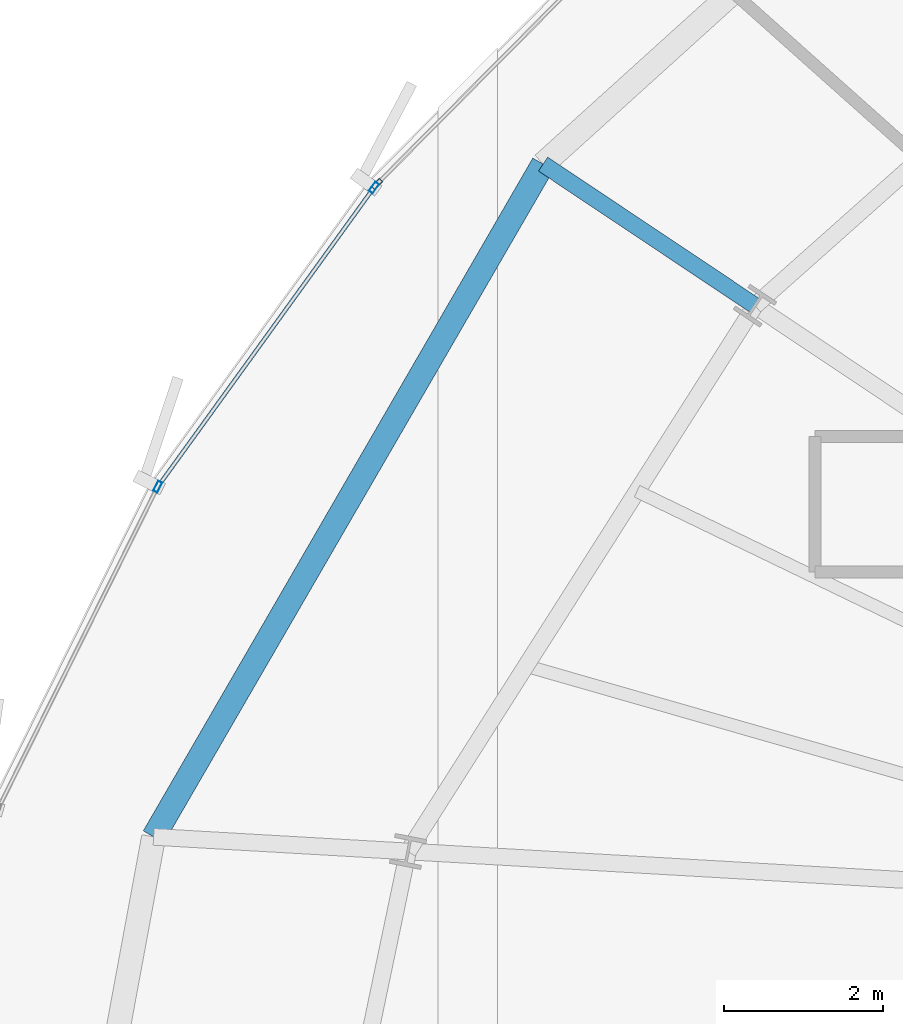
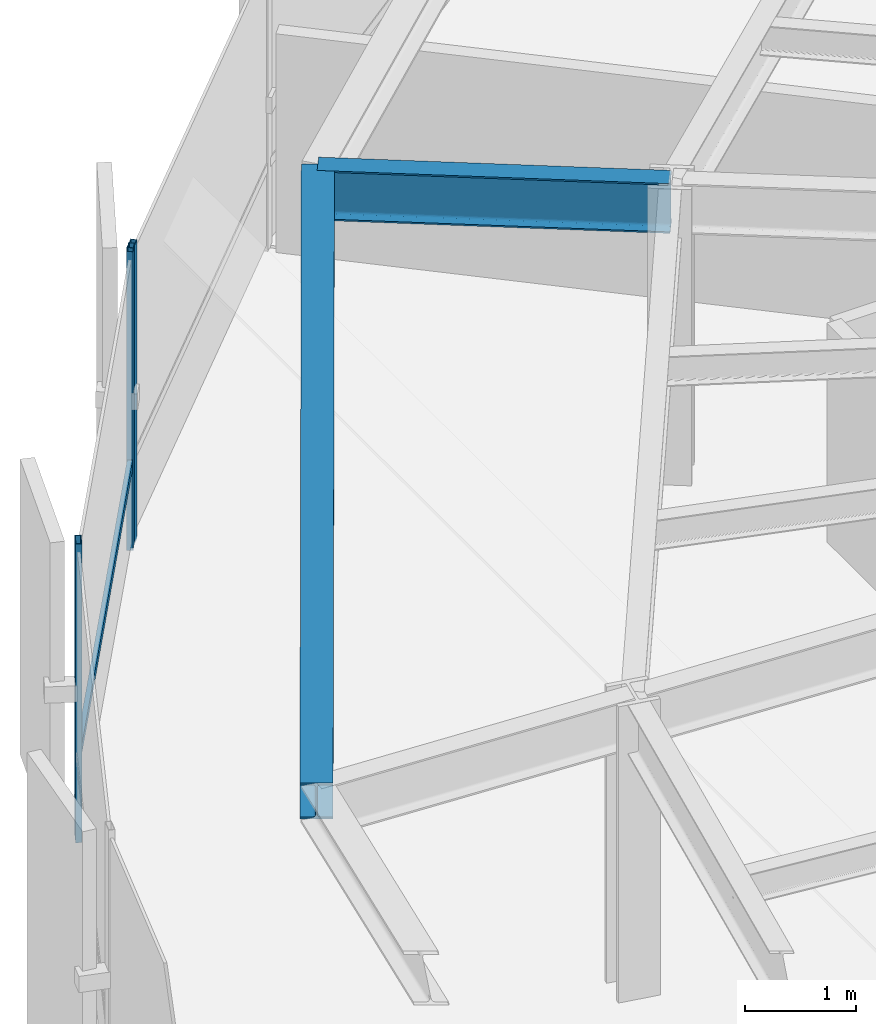
# One storey, part 19 of 37: 4 members, 2 beams, 2 elements without a shape of their own.
"""IFC4 building model written with IfcOpenShell, lengths in metres."""

from ifc_helpers import new_model, si_unit, direction, frame, origin, origin_2d, place, context, subcontext, project, spatial, hollow_rectangle, i_section, extrude, source, transform, mapped, material, layer, layer_set, material_profile, profile_set, type_object, element, aggregate, save


model = new_model("IFC4")

# Units and contexts
model_context = context("Model", 3, precision=1e-05, world=origin(), true_north=direction((0.0, 1.0)))
body_context = subcontext(model_context, "Body", "Model", "MODEL_VIEW")
ifc_project = project(units=[si_unit("LENGTHUNIT", "METRE"), si_unit("AREAUNIT", "SQUARE_METRE"), si_unit("VOLUMEUNIT", "CUBIC_METRE"), si_unit("PLANEANGLEUNIT", "RADIAN"), si_unit("MASSUNIT", "GRAM", prefix="KILO"), si_unit("THERMODYNAMICTEMPERATUREUNIT", "KELVIN")], contexts=[model_context])

# Site, building, storey
site_placement = place(None, origin())
site = spatial("IfcSite", under=ifc_project, at=site_placement, CompositionType="ELEMENT")
building_placement = place(site_placement, origin())
building = spatial("IfcBuilding", under=site, at=building_placement, Name="Kethvar Cultural Tower", CompositionType="ELEMENT")
storey_placement = place(building_placement, frame((0.0, 0.0, 132.35009765625)))
storey = spatial("IfcBuildingStorey", under=building, at=storey_placement, Name="L33", CompositionType="ELEMENT", Elevation=132.35009765625)

# Beams
ifc_material_1 = material(Name="Steel S355J2", Category="steel")
ifc_material_profile_1 = material_profile(ifc_material_1, i_section(OverallWidth=0.2099609375, OverallDepth=0.550048828125, WebThickness=0.010986328125, FlangeThickness=0.01708984375, FilletRadius=0.02392578125, at=origin_2d()), Name="Steel S355J2 — IPE550")
ifc_profile_set_1 = profile_set([ifc_material_profile_1], Name="Steel S355J2 — IPE550")
beam_type_1 = type_object("IfcBeamType", Name="BM-IPE550", PredefinedType="BEAM", material=ifc_profile_set_1)
shared_shape_1 = source(origin(), body_context, "Body", "SweptSolid", [
    extrude(i_section(OverallWidth=0.2099609375, OverallDepth=0.550048828125, WebThickness=0.010986328125, FlangeThickness=0.01708984375, FilletRadius=0.02392578125, at=origin_2d()), origin(), (0.0, 0.0, 1.0), 3.199951171875),
])
beam_1_placement = place(storey_placement, frame((30.345947265625, 38.794189453125, 3.02294921875), z_axis=(-0.831462943996, 0.555580212716, 0.0), x_axis=(-0.555580212716, -0.831462943996, 0.0)))
element("IfcBeam", 1, at=beam_1_placement, inside=storey, type_object=beam_type_1, Name="L33 Perimeter Cantilever Beam RC-07", PredefinedType="BEAM", context=body_context, shape_type="MappedRepresentation", body=[
    mapped(shared_shape_1, transform((0.0, 0.0, 0.0), scale=1.0)),
])
ifc_material_profile_2 = material_profile(ifc_material_1, i_section(OverallWidth=0.300048828125, OverallDepth=0.39990234375, WebThickness=0.013427734375, FlangeThickness=0.02392578125, FilletRadius=0.027099609375, at=origin_2d()), Name="Steel S355J2 — HEB400")
ifc_profile_set_2 = profile_set([ifc_material_profile_2], Name="Steel S355J2 — HEB400")
beam_type_2 = type_object("IfcBeamType", Name="BM-SP400", PredefinedType="SPANDREL", material=ifc_profile_set_2)
shared_shape_2 = source(origin(), body_context, "Body", "SweptSolid", [
    extrude(i_section(OverallWidth=0.300048828125, OverallDepth=0.39990234375, WebThickness=0.013427734375, FlangeThickness=0.02392578125, FilletRadius=0.027099609375, at=origin_2d()), origin(), (0.0, 0.0, 1.0), 9.762939453125),
])
beam_2_placement = place(storey_placement, frame((27.685302734375, 40.572021484375, 3.097900390625), z_axis=(-0.501043170838, -0.865422290536, 0.0), x_axis=(0.865422290536, -0.501043170838, 0.0)))
element("IfcBeam", 2, at=beam_2_placement, inside=storey, type_object=beam_type_2, Name="L33 Perimeter Spandrel Beam SP-07", PredefinedType="SPANDREL", context=body_context, shape_type="MappedRepresentation", body=[
    mapped(shared_shape_2, transform((0.0, 0.0, 0.0), scale=1.0)),
])

# Curtain wall, member
ifc_material_2 = material(Name="Aluminium 6063-T6", Category="aluminium")
ifc_layer = layer(ifc_material_2, 0.179931640625, Name="Aluminium 6063-T6", Category="aluminium")
ifc_layer_set = layer_set([ifc_layer], Name="Aluminium 6063-T6 (180 mm)")
curtain_wall_type = type_object("IfcCurtainWallType", Name="CW-SYS-04-Z34", PredefinedType="NOTDEFINED", material=ifc_layer_set)
curtain_wall_1_placement = place(storey_placement, origin())
curtain_wall_1 = element("IfcCurtainWall", 3, at=curtain_wall_1_placement, inside=storey, type_object=curtain_wall_type, Name="L33 Curtain Wall Run 02", PredefinedType="NOTDEFINED")
ifc_material_profile_3 = material_profile(ifc_material_2, hollow_rectangle(XDim=0.06005859375, YDim=0.139892578125, WallThickness=0.0048828125, at=origin_2d()), Name="Aluminium 6063-T6 — RHS140x60x5")
ifc_profile_set_3 = profile_set([ifc_material_profile_3], Name="Aluminium 6063-T6 — RHS140x60x5")
member_type_1 = type_object("IfcMemberType", Name="CW-SYS-04-Z34-MUL", PredefinedType="MULLION", material=ifc_profile_set_3)
shared_shape_3 = source(origin(), body_context, "Body", "SweptSolid", [
    extrude(hollow_rectangle(XDim=0.06005859375, YDim=0.139892578125, WallThickness=0.0048828125, at=origin_2d()), origin(), (0.0, 0.0, 1.0), 3.2998046875),
])
member_1_placement = place(storey_placement, frame((25.59912109375, 40.322509765625, 0.0), z_axis=(0.0, 0.0, 1.0), x_axis=(0.709816657042, -0.704386480127, 0.0)))
member_1 = element("IfcMember", 4, at=member_1_placement, type_object=member_type_1, Name="CW-L33-R02 Mullion 7", PredefinedType="MULLION", context=body_context, shape_type="MappedRepresentation", body=[
    mapped(shared_shape_3, transform((0.0, 0.0, 0.0), scale=1.0)),
])
aggregate(curtain_wall_1, [member_1])

# Curtain wall, members
curtain_wall_2_placement = place(storey_placement, origin())
curtain_wall_2 = element("IfcCurtainWall", 5, at=curtain_wall_2_placement, inside=storey, type_object=curtain_wall_type, Name="L33 Curtain Wall Run 03", PredefinedType="NOTDEFINED")
member_2_placement = place(storey_placement, frame((25.559814453125, 40.2763671875, 0.0), z_axis=(0.0, 0.0, 1.0), x_axis=(0.810614364629, -0.585580354739, 0.0)))
member_2 = element("IfcMember", 6, at=member_2_placement, type_object=member_type_1, Name="CW-L33-R03 Mullion 1", PredefinedType="MULLION", context=body_context, shape_type="MappedRepresentation", body=[
    mapped(shared_shape_3, transform((0.0, 0.0, 0.0), scale=1.0)),
])
member_3_placement = place(storey_placement, frame((22.845458984375, 36.521240234375, 0.0), z_axis=(0.0, 0.0, 1.0), x_axis=(0.896045202916, -0.443962829898, 0.0)))
member_3 = element("IfcMember", 7, at=member_3_placement, type_object=member_type_1, Name="CW-L33-R03 Mullion 2", PredefinedType="MULLION", context=body_context, shape_type="MappedRepresentation", body=[
    mapped(shared_shape_3, transform((0.0, 0.0, 0.0), scale=1.0)),
])
ifc_material_profile_4 = material_profile(ifc_material_2, hollow_rectangle(XDim=0.050048828125, YDim=0.10009765625, WallThickness=0.00390625, at=origin_2d()), Name="Aluminium 6063-T6 — RHS100x50x4")
ifc_profile_set_4 = profile_set([ifc_material_profile_4], Name="Aluminium 6063-T6 — RHS100x50x4")
member_type_2 = type_object("IfcMemberType", Name="CW-SYS-04-Z34-TRN", PredefinedType="USERDEFINED", material=ifc_profile_set_4)
shared_shape_4 = source(origin(), body_context, "Body", "SweptSolid", [
    extrude(hollow_rectangle(XDim=0.050048828125, YDim=0.10009765625, WallThickness=0.00390625, at=origin_2d()), origin(), (0.0, 0.0, 1.0), 4.60400390625),
])
member_4_placement = place(storey_placement, frame((25.557373046875, 40.27294921875, 0.949951171875), z_axis=(-0.585573801594, -0.810619098521, 0.0), x_axis=(0.810619098521, -0.585573801594, 0.0)))
member_4 = element("IfcMember", 8, at=member_4_placement, type_object=member_type_2, Name="CW-L33-R03 Transom 1", ObjectType="TRANSOM", PredefinedType="USERDEFINED", context=body_context, shape_type="MappedRepresentation", body=[
    mapped(shared_shape_4, transform((0.0, 0.0, 0.0), scale=1.0)),
])
aggregate(curtain_wall_2, [member_2, member_3, member_4])

save(model, "model.ifc")
